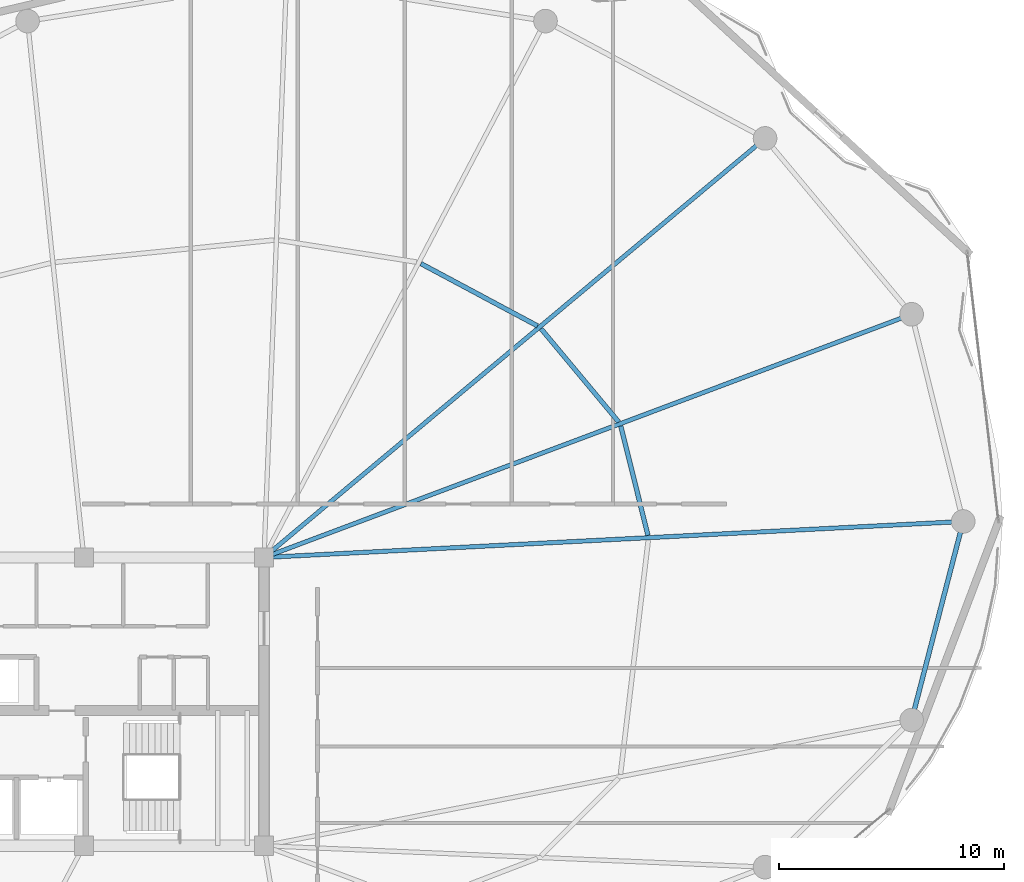
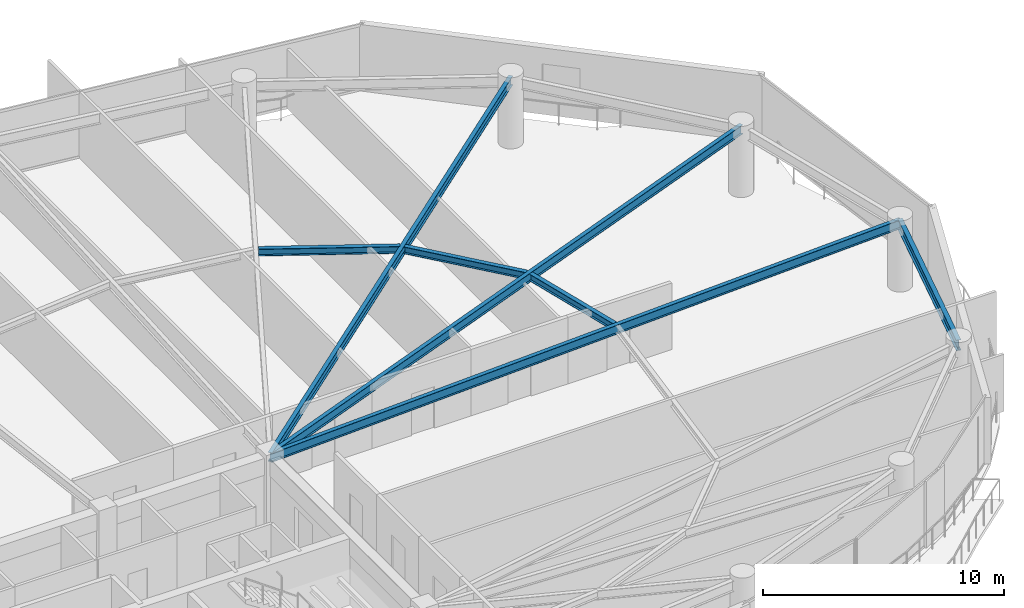
# One storey, part 15 of 31: 7 beams.
"""IFC4 building model written with IfcOpenShell, lengths in metres."""

from ifc_helpers import new_model, si_unit, direction, frame, origin, origin_2d, place, context, subcontext, project, spatial, i_section, extrude, material, material_profile, profile_set, type_object, element, save


model = new_model("IFC4")

# Units and contexts
model_context = context("Model", 3, precision=1e-05, world=origin(), true_north=direction((0.0, 1.0)))
body_context = subcontext(model_context, "Body", "Model", "MODEL_VIEW")
ifc_project = project(units=[si_unit("LENGTHUNIT", "METRE"), si_unit("AREAUNIT", "SQUARE_METRE"), si_unit("VOLUMEUNIT", "CUBIC_METRE"), si_unit("PLANEANGLEUNIT", "RADIAN"), si_unit("MASSUNIT", "GRAM", prefix="KILO")], contexts=[model_context])

# Site, building, storey
site_placement = place(None, origin())
site = spatial("IfcSite", under=ifc_project, at=site_placement, CompositionType="ELEMENT")
building_placement = place(site_placement, origin())
building = spatial("IfcBuilding", under=site, at=building_placement, Name="Kazevale Care Tower and Concert Hall", CompositionType="ELEMENT")
storey_placement = place(building_placement, frame((0.0, 0.0, 210.0)))
storey = spatial("IfcBuildingStorey", under=building, at=storey_placement, Name="L55", CompositionType="ELEMENT", Elevation=210.0)

# Beams
ifc_material = material(Name="Steel ASTM A572 Gr 50", Category="steel")
ifc_material_profile_1 = material_profile(ifc_material, i_section(OverallWidth=0.19091796875, OverallDepth=0.4599609375, WebThickness=0.010009765625, FlangeThickness=0.01611328125, at=origin_2d()), Name="W460x82")
ifc_profile_set_1 = profile_set([ifc_material_profile_1], Name="Steel ASTM A572 Gr 50")
beam_type_1 = type_object("IfcBeamType", Name="Radial Floor Beam W460x82", PredefinedType="BEAM", material=ifc_profile_set_1)
beam_1_placement = place(storey_placement, frame((44.0, 36.39990234375, 3.1298828125), z_axis=(0.998674821251, 0.051464564506, 0.0), x_axis=(-0.051464564506, 0.998674821251, 0.0)))
element("IfcBeam", 1, at=beam_1_placement, inside=storey, type_object=beam_type_1, Name="beam:L55:rad:01", PredefinedType="BEAM", context=body_context, shape_type="SweptSolid", body=[
    extrude(i_section(OverallWidth=0.19091796875, OverallDepth=0.4599609375, WebThickness=0.010009765625, FlangeThickness=0.01611328125, at=origin_2d()), origin(), (0.0, 0.0, 1.0), 31.09130859375),
])
beam_2_placement = place(storey_placement, frame((44.0, 36.39990234375, 3.1298828125), z_axis=(0.936168070124, 0.351552762015, 0.0), x_axis=(-0.351552762015, 0.936168070124, 0.0)))
element("IfcBeam", 2, at=beam_2_placement, inside=storey, type_object=beam_type_1, Name="beam:L55:rad:02", PredefinedType="BEAM", context=body_context, shape_type="SweptSolid", body=[
    extrude(i_section(OverallWidth=0.19091796875, OverallDepth=0.4599609375, WebThickness=0.010009765625, FlangeThickness=0.01611328125, at=origin_2d()), origin(), (0.0, 0.0, 1.0), 30.720947265625),
])
beam_3_placement = place(storey_placement, frame((44.0, 36.39990234375, 3.1298828125), z_axis=(0.767059624015, 0.64157582031, 0.0), x_axis=(-0.64157582031, 0.767059624015, 0.0)))
element("IfcBeam", 3, at=beam_3_placement, inside=storey, type_object=beam_type_1, Name="beam:L55:rad:03", PredefinedType="BEAM", context=body_context, shape_type="SweptSolid", body=[
    extrude(i_section(OverallWidth=0.19091796875, OverallDepth=0.4599609375, WebThickness=0.010009765625, FlangeThickness=0.01611328125, at=origin_2d()), origin(), (0.0, 0.0, 1.0), 29.0068359375),
])
ifc_material_profile_2 = material_profile(ifc_material, i_section(OverallWidth=0.205078125, OverallDepth=0.35400390625, WebThickness=0.009521484375, FlangeThickness=0.016845703125, at=origin_2d()), Name="W360x79")
ifc_profile_set_2 = profile_set([ifc_material_profile_2], Name="Steel ASTM A572 Gr 50")
beam_type_2 = type_object("IfcBeamType", Name="Secondary Floor Joist W360x79", PredefinedType="JOIST", material=ifc_profile_set_2)
beam_4_placement = place(storey_placement, frame((61.052001953125, 37.382080078125, 3.18310546875), z_axis=(-0.241594204931, 0.970377369967, 0.0), x_axis=(-0.970377369967, -0.241594204931, 0.0)))
element("IfcBeam", 4, at=beam_4_placement, inside=storey, type_object=beam_type_2, Name="beam:L55:joist:01", PredefinedType="JOIST", context=body_context, shape_type="SweptSolid", body=[
    extrude(i_section(OverallWidth=0.205078125, OverallDepth=0.35400390625, WebThickness=0.009521484375, FlangeThickness=0.016845703125, at=origin_2d()), origin(), (0.0, 0.0, 1.0), 5.004150390625),
])
beam_5_placement = place(storey_placement, frame((59.7509765625, 42.4208984375, 3.18310546875), z_axis=(-0.640295940788, 0.768128314939, 0.0), x_axis=(-0.768128314939, -0.640295940788, 0.0)))
element("IfcBeam", 5, at=beam_5_placement, inside=storey, type_object=beam_type_2, Name="beam:L55:joist:02", PredefinedType="JOIST", context=body_context, shape_type="SweptSolid", body=[
    extrude(i_section(OverallWidth=0.205078125, OverallDepth=0.35400390625, WebThickness=0.009521484375, FlangeThickness=0.016845703125, at=origin_2d()), origin(), (0.0, 0.0, 1.0), 5.3818359375),
])
beam_6_placement = place(storey_placement, frame((56.14501953125, 46.68505859375, 3.18310546875), z_axis=(-0.881943890935, 0.471354403016, 0.0), x_axis=(-0.471354403016, -0.881943890935, 0.0)))
element("IfcBeam", 6, at=beam_6_placement, inside=storey, type_object=beam_type_2, Name="beam:L55:joist:03", PredefinedType="JOIST", context=body_context, shape_type="SweptSolid", body=[
    extrude(i_section(OverallWidth=0.205078125, OverallDepth=0.35400390625, WebThickness=0.009521484375, FlangeThickness=0.016845703125, at=origin_2d()), origin(), (0.0, 0.0, 1.0), 5.869873046875),
])
ifc_material_profile_3 = material_profile(ifc_material, i_section(OverallWidth=0.208984375, OverallDepth=0.532958984375, WebThickness=0.01025390625, FlangeThickness=0.015625, at=origin_2d()), Name="W530x92")
ifc_profile_set_3 = profile_set([ifc_material_profile_3], Name="Steel ASTM A572 Gr 50")
beam_type_3 = type_object("IfcBeamType", Name="Upper Ring Beam W530x92", PredefinedType="BEAM", material=ifc_profile_set_3)
beam_7_placement = place(storey_placement, frame((72.760009765625, 29.179931640625, 3.093505859375), z_axis=(0.251307095899, 0.96790740443, 0.0), x_axis=(-0.96790740443, 0.251307095899, 0.0)))
element("IfcBeam", 7, at=beam_7_placement, inside=storey, type_object=beam_type_3, Name="beam:L55:ring:16", PredefinedType="BEAM", context=body_context, shape_type="SweptSolid", body=[
    extrude(i_section(OverallWidth=0.208984375, OverallDepth=0.532958984375, WebThickness=0.01025390625, FlangeThickness=0.015625, at=origin_2d()), origin(), (0.0, 0.0, 1.0), 9.112548828125),
])

save(model, "model.ifc")
